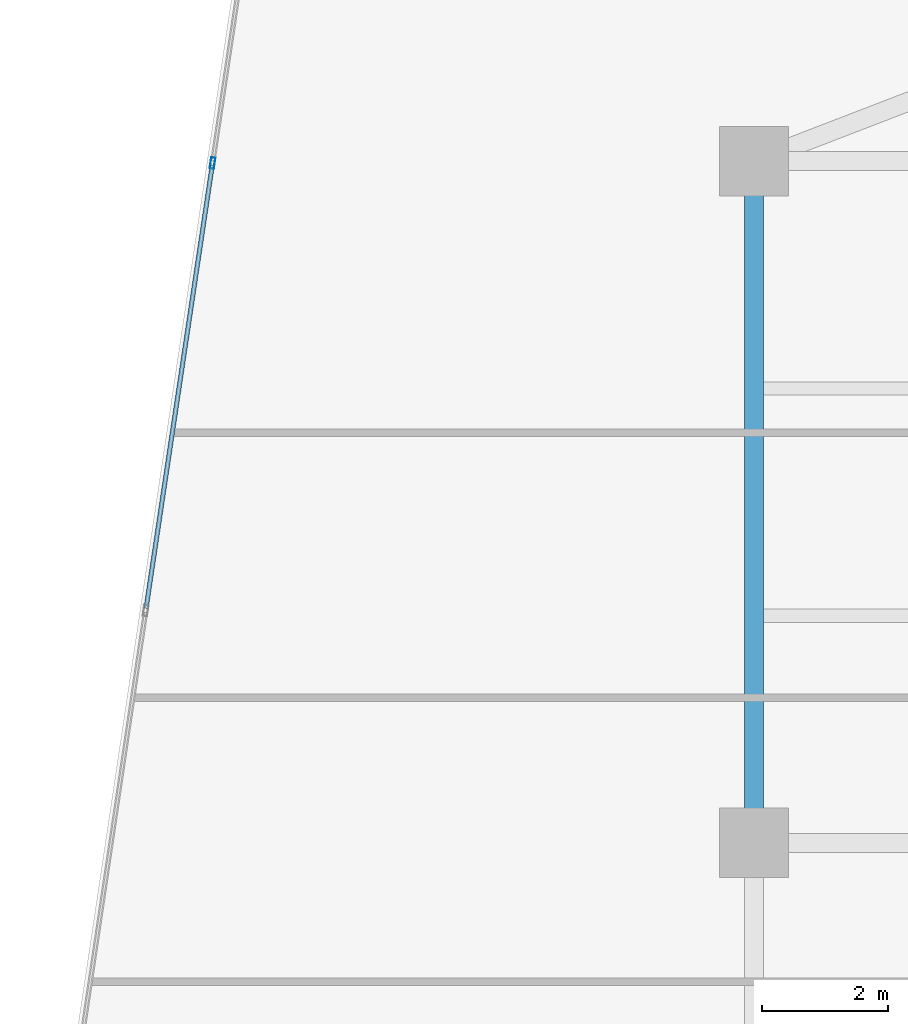
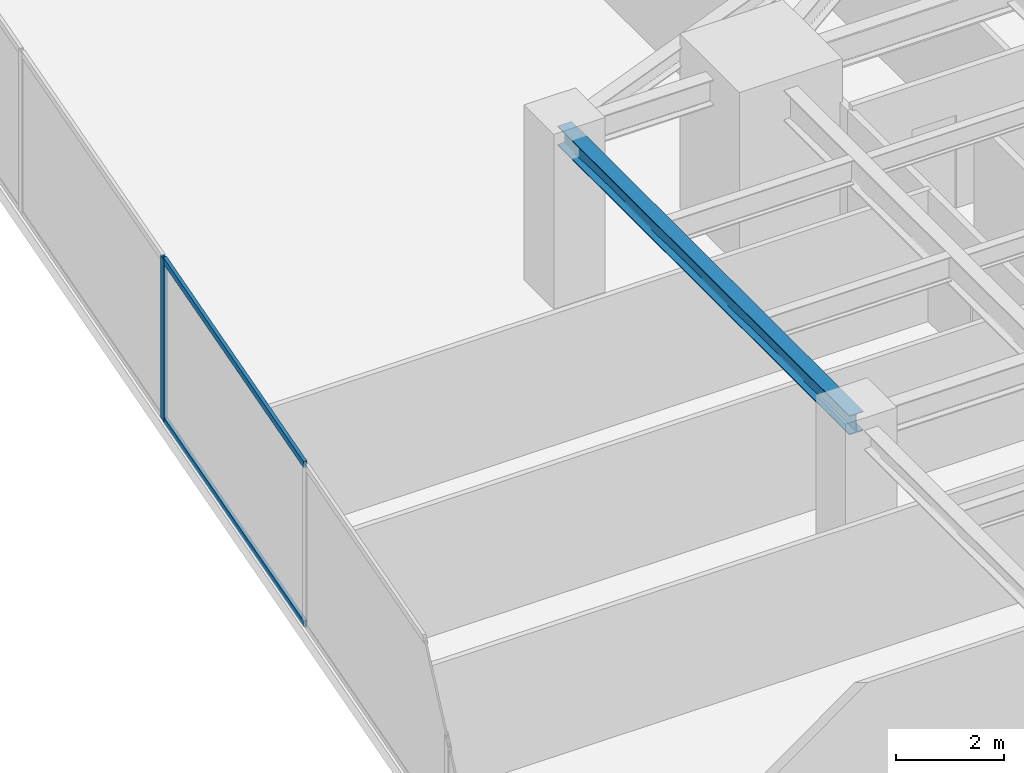
# One storey, part 15 of 29: 3 members, 1 beam, 1 element without a shape of its own.
"""IFC4 building model written with IfcOpenShell, lengths in metres."""

from ifc_helpers import new_model, si_unit, direction, frame, origin, origin_2d, place, context, subcontext, project, spatial, hollow_rectangle, i_section, extrude, source, transform, mapped, material, material_profile, profile_set, type_object, type_shapes, element, aggregate, save


model = new_model("IFC4")

# Units and contexts
model_context = context("Model", 3, precision=1e-05, world=origin(), true_north=direction((0.0, 1.0)))
body_context = subcontext(model_context, "Body", "Model", "MODEL_VIEW")
ifc_project = project(units=[si_unit("LENGTHUNIT", "METRE"), si_unit("AREAUNIT", "SQUARE_METRE"), si_unit("VOLUMEUNIT", "CUBIC_METRE"), si_unit("PLANEANGLEUNIT", "RADIAN"), si_unit("MASSUNIT", "GRAM", prefix="KILO")], contexts=[model_context])

# Site, building, storey
site_placement = place(None, origin())
site = spatial("IfcSite", under=ifc_project, at=site_placement, CompositionType="ELEMENT")
building_placement = place(site_placement, origin())
building = spatial("IfcBuilding", under=site, at=building_placement, Name="Krantzveldt Concourse Tower", CompositionType="ELEMENT")
storey_placement = place(building_placement, frame((0.0, 0.0, 68.449951171875)))
storey = spatial("IfcBuildingStorey", under=building, at=storey_placement, Name="L16", CompositionType="ELEMENT", Elevation=68.449951171875)

# Beam
ifc_material_1 = material(Name="Steel S355JR", Category="steel")
ifc_material_profile_1 = material_profile(ifc_material_1, i_section(OverallWidth=0.300048828125, OverallDepth=0.43994140625, WebThickness=0.011474609375, FlangeThickness=0.02099609375, FilletRadius=0.027099609375, at=origin_2d()), Name="Steel S355JR", Category="steel")
ifc_profile_set_1 = profile_set([ifc_material_profile_1], Name="Steel S355JR - HEA 450")
beam_type = type_object("IfcBeamType", Name="BM-SP-HEA450", PredefinedType="SPANDREL", material=ifc_profile_set_1)
shared_shape_1 = source(origin(), body_context, "Body", "SweptSolid", [
    extrude(i_section(OverallWidth=0.300048828125, OverallDepth=0.43994140625, WebThickness=0.011474609375, FlangeThickness=0.02099609375, FilletRadius=0.027099609375, at=origin_2d()), origin(), (0.0, 0.0, 1.0), 10.800048828125),
])
type_shapes(beam_type, [shared_shape_1])
beam_placement = place(storey_placement, frame((21.0, 26.699951171875, 3.449951171875), z_axis=(0.0, 1.0, 0.0), x_axis=(-1.0, 0.0, 0.0)))
element("IfcBeam", 1, at=beam_placement, inside=storey, type_object=beam_type, Name="L16 Tower Girder SP-R02", PredefinedType="SPANDREL", context=body_context, shape_type="MappedRepresentation", body=[
    mapped(shared_shape_1, transform((0.0, 0.0, 0.0), x_axis=(1.0, 0.0, 0.0), y_axis=(0.0, 1.0, 0.0), z_axis=(0.0, 0.0, 1.0), scale=1.0)),
])

# Curtain wall, members
ifc_material_2 = material(Name="Anodised aluminium 6063-T6", Category="aluminium")
curtain_wall_type = type_object("IfcCurtainWallType", Name="CW2", PredefinedType="USERDEFINED", material=ifc_material_2)
curtain_wall_placement = place(storey_placement, origin())
curtain_wall = element("IfcCurtainWall", 2, at=curtain_wall_placement, inside=storey, type_object=curtain_wall_type, Name="CW-L16-F01", ObjectType="UNITISED CURTAIN WALL", PredefinedType="USERDEFINED")
ifc_material_profile_2 = material_profile(ifc_material_2, hollow_rectangle(XDim=0.070068359375, YDim=0.139892578125, WallThickness=0.0048828125, at=origin_2d()), Name="Anodised aluminium 6063-T6", Category="aluminium")
ifc_profile_set_2 = profile_set([ifc_material_profile_2], Name="Anodised aluminium 6063-T6 - ALU-TRAN 140x70x5")
member_type_1 = type_object("IfcMemberType", Name="CW-TRN-150", PredefinedType="USERDEFINED", material=ifc_profile_set_2)
shared_shape_2 = source(origin(), body_context, "Body", "SweptSolid", [
    extrude(hollow_rectangle(XDim=0.070068359375, YDim=0.139892578125, WallThickness=0.0048828125, at=origin_2d()), origin(), (0.0, 0.0, 1.0), 7.0966796875),
])
type_shapes(member_type_1, [shared_shape_2])
member_1_placement = place(storey_placement, frame((12.417724609375, 37.435302734375, 0.03515625), z_axis=(-0.14779033687, -0.989018713841, 0.0), x_axis=(0.989018713841, -0.14779033687, 0.0)))
member_1 = element("IfcMember", 3, at=member_1_placement, type_object=member_type_1, Name="CW-Z12 transom 3.1", ObjectType="TRANSOM", PredefinedType="USERDEFINED", context=body_context, shape_type="MappedRepresentation", body=[
    mapped(shared_shape_2, transform((0.0, 0.0, 0.0), x_axis=(1.0, 0.0, 0.0), y_axis=(0.0, 1.0, 0.0), z_axis=(0.0, 0.0, 1.0), scale=1.0)),
])
member_2_placement = place(storey_placement, frame((12.417724609375, 37.435302734375, 3.635009765625), z_axis=(-0.14779033687, -0.989018713841, 0.0), x_axis=(0.989018713841, -0.14779033687, 0.0)))
member_2 = element("IfcMember", 4, at=member_2_placement, type_object=member_type_1, Name="CW-Z12 transom 3.2", ObjectType="TRANSOM", PredefinedType="USERDEFINED", context=body_context, shape_type="MappedRepresentation", body=[
    mapped(shared_shape_2, transform((0.0, 0.0, 0.0), x_axis=(1.0, 0.0, 0.0), y_axis=(0.0, 1.0, 0.0), z_axis=(0.0, 0.0, 1.0), scale=1.0)),
])
ifc_material_profile_3 = material_profile(ifc_material_2, hollow_rectangle(XDim=0.070068359375, YDim=0.179931640625, WallThickness=0.0048828125, at=origin_2d()), Name="Anodised aluminium 6063-T6", Category="aluminium")
ifc_profile_set_3 = profile_set([ifc_material_profile_3], Name="Anodised aluminium 6063-T6 - ALU-MULL 180x70x5")
member_type_2 = type_object("IfcMemberType", Name="CW-MUL-180", PredefinedType="MULLION", material=ifc_profile_set_3)
shared_shape_3 = source(origin(), body_context, "Body", "SweptSolid", [
    extrude(hollow_rectangle(XDim=0.070068359375, YDim=0.179931640625, WallThickness=0.0048828125, at=origin_2d()), origin(), (0.0, 0.0, 1.0), 3.670166015625),
])
type_shapes(member_type_2, [shared_shape_3])
member_3_placement = place(storey_placement, frame((12.4228515625, 37.469970703125, 0.0), z_axis=(0.0, 0.0, 1.0), x_axis=(0.989015849271, -0.147809505412, 0.0)))
member_3 = element("IfcMember", 5, at=member_3_placement, type_object=member_type_2, Name="CW-Z12 mullion 3", PredefinedType="MULLION", context=body_context, shape_type="MappedRepresentation", body=[
    mapped(shared_shape_3, transform((0.0, 0.0, 0.0), x_axis=(1.0, 0.0, 0.0), y_axis=(0.0, 1.0, 0.0), z_axis=(0.0, 0.0, 1.0), scale=1.0)),
])
aggregate(curtain_wall, [member_3, member_1, member_2])

save(model, "model.ifc")
